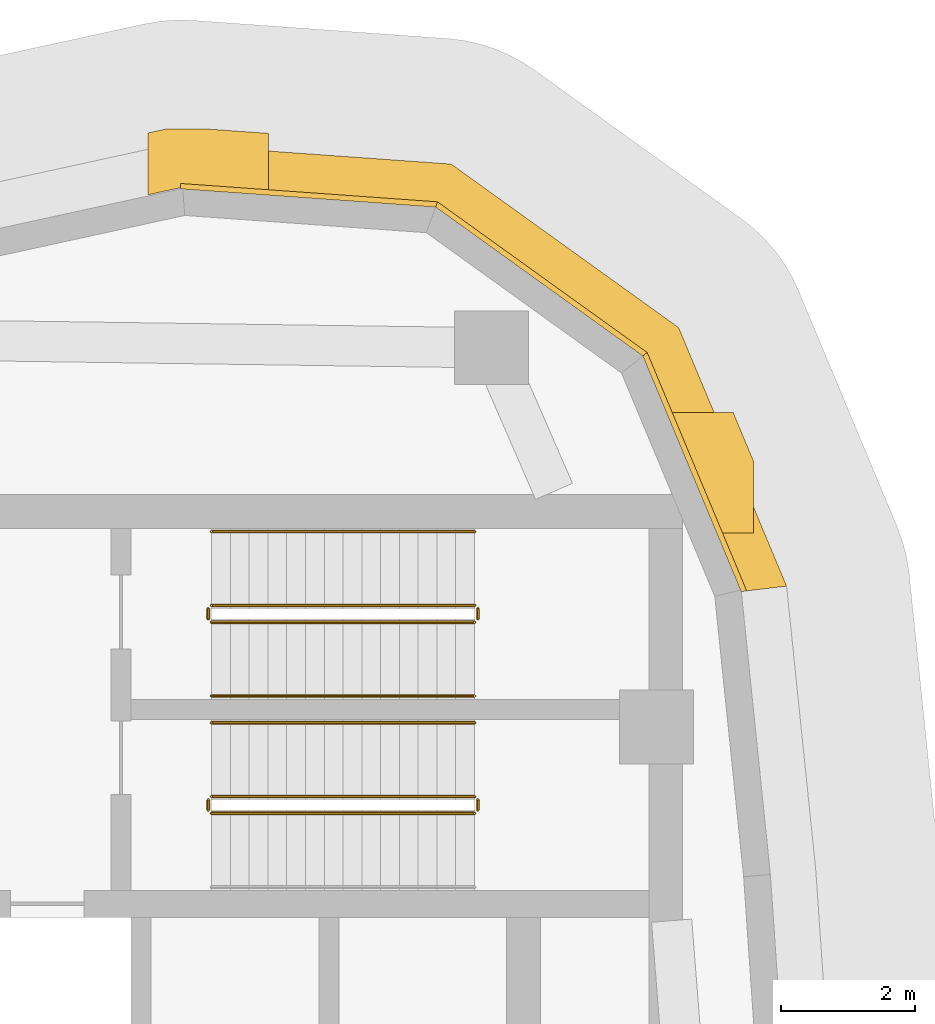
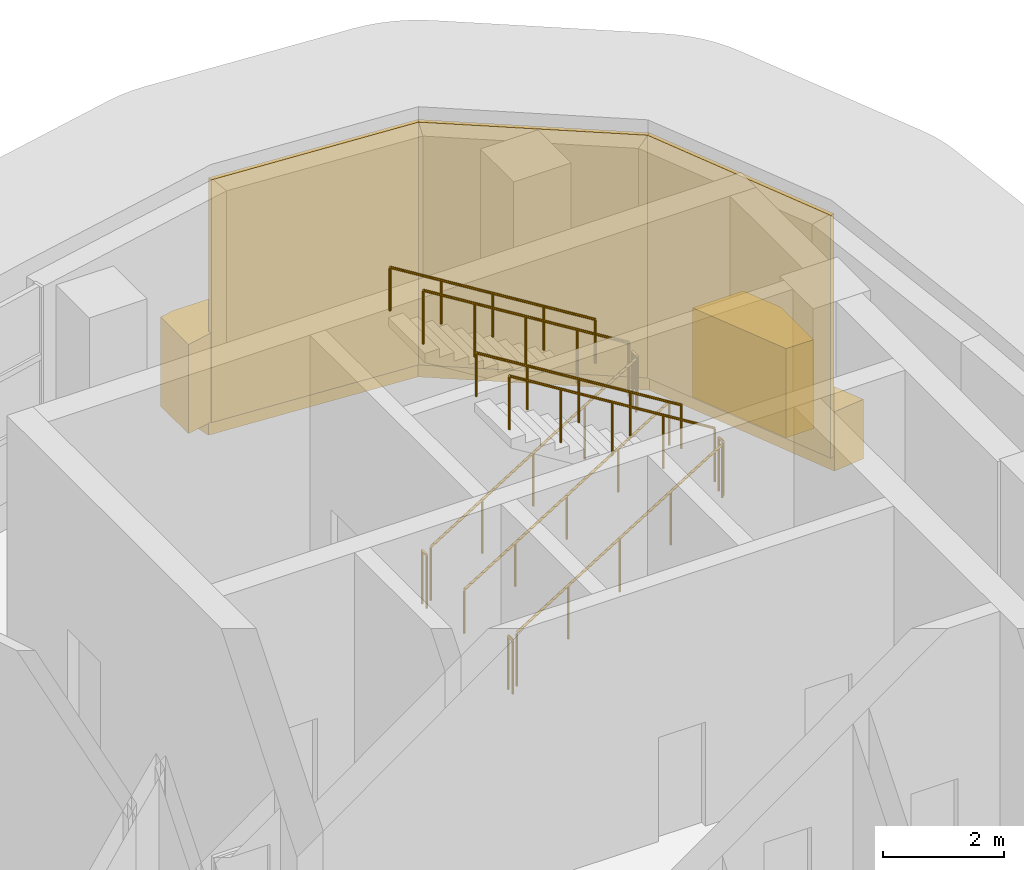
# One storey, part 14 of 14: 11 railings, 6 coverings.
"""IFC4 building model written with IfcOpenShell, lengths in metres."""

from ifc_helpers import new_model, si_unit, direction, frame, origin, origin_2d, place, context, subcontext, project, spatial, polyline, circle, outline, extrude, material, layer, layer_set, type_object, element, save


model = new_model("IFC4")

# Units and contexts
model_context = context("Model", 3, precision=1e-05, world=origin(), true_north=direction((0.0, 1.0)))
body_context = subcontext(model_context, "Body", "Model", "MODEL_VIEW")
ifc_project = project(units=[si_unit("LENGTHUNIT", "METRE"), si_unit("AREAUNIT", "SQUARE_METRE"), si_unit("VOLUMEUNIT", "CUBIC_METRE"), si_unit("PLANEANGLEUNIT", "RADIAN"), si_unit("MASSUNIT", "GRAM", prefix="KILO")], contexts=[model_context])

# Site, building, storey
site_placement = place(None, origin())
site = spatial("IfcSite", under=ifc_project, at=site_placement, CompositionType="ELEMENT")
building_placement = place(site_placement, origin())
building = spatial("IfcBuilding", under=site, at=building_placement, Name="Ostrand Prow Hotel Tower", CompositionType="ELEMENT")
storey_placement = place(building_placement, frame((0.0, 0.0, 303.39990234375)))
storey = spatial("IfcBuildingStorey", under=building, at=storey_placement, Name="L77", CompositionType="ELEMENT", Elevation=303.39990234375)

# Coverings
ifc_material_1 = material(Name="Limestone cladding", Category="masonry")
ifc_layer_1 = layer(ifc_material_1, 2.0)
ifc_layer_set_1 = layer_set([ifc_layer_1], Name="Limestone cladding")
covering_type_1 = type_object("IfcCoveringType", Name="Belt lip limestone", PredefinedType="CLADDING", material=ifc_layer_set_1)
covering_1_placement = place(storey_placement, origin())
element("IfcCovering", 1, at=covering_1_placement, inside=storey, type_object=covering_type_1, Name="Belt fin 12 L77", PredefinedType="CLADDING", context=body_context, shape_type="SweptSolid", body=[
    extrude(outline(polyline([(65.27587890625, 16.7568359375), (64.9755859375, 17.476318359375), (64.000244140625, 17.476318359375), (64.751708984375, 15.676513671875), (65.27587890625, 15.676513671875), (65.27587890625, 16.7568359375)])), origin(), (0.0, 0.0, 1.0), 1.800048828125),
])
covering_2_placement = place(storey_placement, origin())
element("IfcCovering", 2, at=covering_2_placement, inside=storey, type_object=covering_type_1, Name="Belt fin 13 L77", PredefinedType="CLADDING", context=body_context, shape_type="SweptSolid", body=[
    extrude(outline(polyline([(56.51025390625, 21.698486328125), (56.248779296875, 21.6416015625), (56.248779296875, 20.720458984375), (56.74072265625, 20.82763671875), (58.048828125, 20.734375), (58.048828125, 21.63671875), (57.180908203125, 21.698486328125), (56.51025390625, 21.698486328125)])), origin(), (0.0, 0.0, 1.0), 1.800048828125),
])
ifc_material_2 = material(Name="Bronze anodised aluminium cladding", Category="aluminium")
ifc_layer_2 = layer(ifc_material_2, 0.60009765625)
ifc_layer_set_2 = layer_set([ifc_layer_2], Name="Bronze anodised aluminium cladding")
covering_type_2 = type_object("IfcCoveringType", Name="Bronze spandrel band 1200x600", PredefinedType="CLADDING", material=ifc_layer_set_2)
covering_3_placement = place(storey_placement, frame((0.0, 0.0, -0.2998046875)))
element("IfcCovering", 3, at=covering_3_placement, inside=storey, type_object=covering_type_2, Name="Spandrel band back 4", PredefinedType="CLADDING", context=body_context, shape_type="SweptSolid", body=[
    extrude(outline(polyline([(65.77197265625, 14.887451171875), (64.162841796875, 18.741455078125), (60.771728515625, 21.17919921875), (56.606201171875, 21.476318359375), (56.72802734375, 20.888916015625), (60.567626953125, 20.614990234375), (63.693115234375, 18.3681640625), (65.17626953125, 14.81591796875), (65.77197265625, 14.887451171875)])), origin(), (0.0, 0.0, 1.0), 1.199951171875),
])

# Railings
ifc_material_3 = material(Name="Painted steel", Category="steel")
railing_type_1 = type_object("IfcRailingType", Name="Stair guard 1100", PredefinedType="GUARDRAIL", material=ifc_material_3)
railing_1_placement = place(storey_placement, frame((57.199951171875, 11.5, 0.17333984375)))
element("IfcRailing", 4, at=railing_1_placement, inside=storey, type_object=railing_type_1, Name="L77 ST1C stair guard 1", PredefinedType="GUARDRAIL", context=body_context, shape_type="SweptSolid", body=[
    extrude(circle(Radius=0.02392578125, at=origin_2d()), frame((0.0, 0.0, 1.076171875), z_axis=(0.850266275192, 0.0, 0.526352791643), x_axis=(0.0, 1.0, 0.0)), (0.0, 0.0, 1.0), 4.610595703125),
    extrude(circle(Radius=0.02099609375, at=origin_2d()), origin(), (0.0, 0.0, 1.0), 1.052001953125),
    extrude(circle(Radius=0.02099609375, at=origin_2d()), frame((0.97998046875, 0.0, 0.606689453125)), (0.0, 0.0, 1.0), 1.052001953125),
    extrude(circle(Radius=0.02099609375, at=origin_2d()), frame((1.9599609375, 0.0, 1.21337890625)), (0.0, 0.0, 1.0), 1.052001953125),
    extrude(circle(Radius=0.02099609375, at=origin_2d()), frame((2.940185546875, 0.0, 1.820068359375)), (0.0, 0.0, 1.0), 1.052001953125),
    extrude(circle(Radius=0.02099609375, at=origin_2d()), frame((3.920166015625, 0.0, 2.4267578125)), (0.0, 0.0, 1.0), 1.052001953125),
])
railing_2_placement = place(storey_placement, frame((61.169921875, 11.550048828125, 2.60009765625)))
element("IfcRailing", 5, at=railing_2_placement, inside=storey, type_object=railing_type_1, Name="L77 ST1C stair guard 2", PredefinedType="GUARDRAIL", context=body_context, shape_type="SweptSolid", body=[
    extrude(circle(Radius=0.02392578125, at=origin_2d()), frame((0.0, 0.0, 1.076171875), z_axis=(0.0, 1.0, 0.0), x_axis=(-1.0, 0.0, 0.0)), (0.0, 0.0, 1.0), 0.14990234375),
    extrude(circle(Radius=0.02099609375, at=origin_2d()), origin(), (0.0, 0.0, 1.0), 1.052001953125),
    extrude(circle(Radius=0.02099609375, at=origin_2d()), frame((0.0, 0.14990234375, 0.0)), (0.0, 0.0, 1.0), 1.052001953125),
])
railing_3_placement = place(storey_placement, frame((61.1201171875, 11.75, 2.7734375)))
element("IfcRailing", 6, at=railing_3_placement, inside=storey, type_object=railing_type_1, Name="L77 ST1C stair guard 3", PredefinedType="GUARDRAIL", context=body_context, shape_type="SweptSolid", body=[
    extrude(circle(Radius=0.02392578125, at=origin_2d()), frame((0.0, 0.0, 1.076171875), z_axis=(-0.850266275192, 0.0, 0.526352791643), x_axis=(0.0, -1.0, 0.0)), (0.0, 0.0, 1.0), 4.610595703125),
    extrude(circle(Radius=0.02099609375, at=origin_2d()), origin(), (0.0, 0.0, 1.0), 1.052001953125),
    extrude(circle(Radius=0.02099609375, at=origin_2d()), frame((-0.97998046875, 0.0, 0.606689453125)), (0.0, 0.0, 1.0), 1.052001953125),
    extrude(circle(Radius=0.02099609375, at=origin_2d()), frame((-1.9599609375, 0.0, 1.21337890625)), (0.0, 0.0, 1.0), 1.052001953125),
    extrude(circle(Radius=0.02099609375, at=origin_2d()), frame((-2.940185546875, 0.0, 1.820068359375)), (0.0, 0.0, 1.0), 1.052001953125),
    extrude(circle(Radius=0.02099609375, at=origin_2d()), frame((-3.920166015625, 0.0, 2.4267578125)), (0.0, 0.0, 1.0), 1.052001953125),
])
railing_4_placement = place(storey_placement, frame((57.14990234375, 11.550048828125, 0.0)))
element("IfcRailing", 7, at=railing_4_placement, inside=storey, type_object=railing_type_1, Name="L77 ST1C stair guard 4", PredefinedType="GUARDRAIL", context=body_context, shape_type="SweptSolid", body=[
    extrude(circle(Radius=0.02392578125, at=origin_2d()), frame((0.0, 0.0, 1.076171875), z_axis=(0.0, 1.0, 0.0), x_axis=(-1.0, 0.0, 0.0)), (0.0, 0.0, 1.0), 0.14990234375),
    extrude(circle(Radius=0.02099609375, at=origin_2d()), origin(), (0.0, 0.0, 1.0), 1.052001953125),
    extrude(circle(Radius=0.02099609375, at=origin_2d()), frame((0.0, 0.14990234375, 0.0)), (0.0, 0.0, 1.0), 1.052001953125),
])
railing_5_placement = place(storey_placement, frame((57.199951171875, 14.35009765625, 0.17333984375)))
element("IfcRailing", 8, at=railing_5_placement, inside=storey, type_object=railing_type_1, Name="L77 ST3C stair guard 1", PredefinedType="GUARDRAIL", context=body_context, shape_type="SweptSolid", body=[
    extrude(circle(Radius=0.02392578125, at=origin_2d()), frame((0.0, 0.0, 1.076171875), z_axis=(0.850266275192, 0.0, 0.526352791643), x_axis=(0.0, 1.0, 0.0)), (0.0, 0.0, 1.0), 4.610595703125),
    extrude(circle(Radius=0.02099609375, at=origin_2d()), origin(), (0.0, 0.0, 1.0), 1.052001953125),
    extrude(circle(Radius=0.02099609375, at=origin_2d()), frame((0.97998046875, 0.0, 0.606689453125)), (0.0, 0.0, 1.0), 1.052001953125),
    extrude(circle(Radius=0.02099609375, at=origin_2d()), frame((1.9599609375, 0.0, 1.21337890625)), (0.0, 0.0, 1.0), 1.052001953125),
    extrude(circle(Radius=0.02099609375, at=origin_2d()), frame((2.940185546875, 0.0, 1.820068359375)), (0.0, 0.0, 1.0), 1.052001953125),
    extrude(circle(Radius=0.02099609375, at=origin_2d()), frame((3.920166015625, 0.0, 2.4267578125)), (0.0, 0.0, 1.0), 1.052001953125),
])
railing_6_placement = place(storey_placement, frame((61.169921875, 14.39990234375, 2.60009765625)))
element("IfcRailing", 9, at=railing_6_placement, inside=storey, type_object=railing_type_1, Name="L77 ST3C stair guard 2", PredefinedType="GUARDRAIL", context=body_context, shape_type="SweptSolid", body=[
    extrude(circle(Radius=0.02392578125, at=origin_2d()), frame((0.0, 0.0, 1.076171875), z_axis=(0.0, 1.0, 0.0), x_axis=(-1.0, 0.0, 0.0)), (0.0, 0.0, 1.0), 0.150146484375),
    extrude(circle(Radius=0.02099609375, at=origin_2d()), origin(), (0.0, 0.0, 1.0), 1.052001953125),
    extrude(circle(Radius=0.02099609375, at=origin_2d()), frame((0.0, 0.150146484375, 0.0)), (0.0, 0.0, 1.0), 1.052001953125),
])
railing_7_placement = place(storey_placement, frame((61.1201171875, 14.60009765625, 2.7734375)))
element("IfcRailing", 10, at=railing_7_placement, inside=storey, type_object=railing_type_1, Name="L77 ST3C stair guard 3", PredefinedType="GUARDRAIL", context=body_context, shape_type="SweptSolid", body=[
    extrude(circle(Radius=0.02392578125, at=origin_2d()), frame((0.0, 0.0, 1.076171875), z_axis=(-0.850266275192, 0.0, 0.526352791643), x_axis=(0.0, -1.0, 0.0)), (0.0, 0.0, 1.0), 4.610595703125),
    extrude(circle(Radius=0.02099609375, at=origin_2d()), origin(), (0.0, 0.0, 1.0), 1.052001953125),
    extrude(circle(Radius=0.02099609375, at=origin_2d()), frame((-0.97998046875, 0.0, 0.606689453125)), (0.0, 0.0, 1.0), 1.052001953125),
    extrude(circle(Radius=0.02099609375, at=origin_2d()), frame((-1.9599609375, 0.0, 1.21337890625)), (0.0, 0.0, 1.0), 1.052001953125),
    extrude(circle(Radius=0.02099609375, at=origin_2d()), frame((-2.940185546875, 0.0, 1.820068359375)), (0.0, 0.0, 1.0), 1.052001953125),
    extrude(circle(Radius=0.02099609375, at=origin_2d()), frame((-3.920166015625, 0.0, 2.4267578125)), (0.0, 0.0, 1.0), 1.052001953125),
])
railing_8_placement = place(storey_placement, frame((57.14990234375, 14.39990234375, 0.0)))
element("IfcRailing", 11, at=railing_8_placement, inside=storey, type_object=railing_type_1, Name="L77 ST3C stair guard 4", PredefinedType="GUARDRAIL", context=body_context, shape_type="SweptSolid", body=[
    extrude(circle(Radius=0.02392578125, at=origin_2d()), frame((0.0, 0.0, 1.076171875), z_axis=(0.0, 1.0, 0.0), x_axis=(-1.0, 0.0, 0.0)), (0.0, 0.0, 1.0), 0.150146484375),
    extrude(circle(Radius=0.02099609375, at=origin_2d()), origin(), (0.0, 0.0, 1.0), 1.052001953125),
    extrude(circle(Radius=0.02099609375, at=origin_2d()), frame((0.0, 0.150146484375, 0.0)), (0.0, 0.0, 1.0), 1.052001953125),
])
ifc_material_4 = material(Name="Stainless steel", Category="steel")
railing_type_2 = type_object("IfcRailingType", Name="Stair handrail 900", PredefinedType="HANDRAIL", material=ifc_material_4)
railing_9_placement = place(storey_placement, frame((61.1201171875, 12.85009765625, 2.7734375)))
element("IfcRailing", 12, at=railing_9_placement, inside=storey, type_object=railing_type_2, Name="L77 ST1C stair handrail 2", PredefinedType="HANDRAIL", context=body_context, shape_type="SweptSolid", body=[
    extrude(circle(Radius=0.02392578125, at=origin_2d()), frame((0.0, 0.0, 0.8759765625), z_axis=(-0.850266275192, 0.0, 0.526352791643), x_axis=(0.0, -1.0, 0.0)), (0.0, 0.0, 1.0), 4.610595703125),
    extrude(circle(Radius=0.02099609375, at=origin_2d()), origin(), (0.0, 0.0, 1.0), 0.851806640625),
    extrude(circle(Radius=0.02099609375, at=origin_2d()), frame((-0.97998046875, 0.0, 0.606689453125)), (0.0, 0.0, 1.0), 0.851806640625),
    extrude(circle(Radius=0.02099609375, at=origin_2d()), frame((-1.9599609375, 0.0, 1.21337890625)), (0.0, 0.0, 1.0), 0.851806640625),
    extrude(circle(Radius=0.02099609375, at=origin_2d()), frame((-2.940185546875, 0.0, 1.820068359375)), (0.0, 0.0, 1.0), 0.851806640625),
    extrude(circle(Radius=0.02099609375, at=origin_2d()), frame((-3.920166015625, 0.0, 2.4267578125)), (0.0, 0.0, 1.0), 0.851806640625),
])
railing_10_placement = place(storey_placement, frame((57.199951171875, 13.25, 0.17333984375)))
element("IfcRailing", 13, at=railing_10_placement, inside=storey, type_object=railing_type_2, Name="L77 ST3C stair handrail 1", PredefinedType="HANDRAIL", context=body_context, shape_type="SweptSolid", body=[
    extrude(circle(Radius=0.02392578125, at=origin_2d()), frame((0.0, 0.0, 0.8759765625), z_axis=(0.850266275192, 0.0, 0.526352791643), x_axis=(0.0, 1.0, 0.0)), (0.0, 0.0, 1.0), 4.610595703125),
    extrude(circle(Radius=0.02099609375, at=origin_2d()), origin(), (0.0, 0.0, 1.0), 0.851806640625),
    extrude(circle(Radius=0.02099609375, at=origin_2d()), frame((0.97998046875, 0.0, 0.606689453125)), (0.0, 0.0, 1.0), 0.851806640625),
    extrude(circle(Radius=0.02099609375, at=origin_2d()), frame((1.9599609375, 0.0, 1.21337890625)), (0.0, 0.0, 1.0), 0.851806640625),
    extrude(circle(Radius=0.02099609375, at=origin_2d()), frame((2.940185546875, 0.0, 1.820068359375)), (0.0, 0.0, 1.0), 0.851806640625),
    extrude(circle(Radius=0.02099609375, at=origin_2d()), frame((3.920166015625, 0.0, 2.4267578125)), (0.0, 0.0, 1.0), 0.851806640625),
])
railing_11_placement = place(storey_placement, frame((61.1201171875, 15.699951171875, 2.7734375)))
element("IfcRailing", 14, at=railing_11_placement, inside=storey, type_object=railing_type_2, Name="L77 ST3C stair handrail 2", PredefinedType="HANDRAIL", context=body_context, shape_type="SweptSolid", body=[
    extrude(circle(Radius=0.02392578125, at=origin_2d()), frame((0.0, 0.0, 0.8759765625), z_axis=(-0.850266275192, 0.0, 0.526352791643), x_axis=(0.0, -1.0, 0.0)), (0.0, 0.0, 1.0), 4.610595703125),
    extrude(circle(Radius=0.02099609375, at=origin_2d()), origin(), (0.0, 0.0, 1.0), 0.851806640625),
    extrude(circle(Radius=0.02099609375, at=origin_2d()), frame((-0.97998046875, 0.0, 0.606689453125)), (0.0, 0.0, 1.0), 0.851806640625),
    extrude(circle(Radius=0.02099609375, at=origin_2d()), frame((-1.9599609375, 0.0, 1.21337890625)), (0.0, 0.0, 1.0), 0.851806640625),
    extrude(circle(Radius=0.02099609375, at=origin_2d()), frame((-2.940185546875, 0.0, 1.820068359375)), (0.0, 0.0, 1.0), 0.851806640625),
    extrude(circle(Radius=0.02099609375, at=origin_2d()), frame((-3.920166015625, 0.0, 2.4267578125)), (0.0, 0.0, 1.0), 0.851806640625),
])

# Coverings
ifc_material_5 = material(Name="Limestone cladding", Category="masonry")
ifc_layer_3 = layer(ifc_material_5, 0.080078125)
ifc_layer_set_3 = layer_set([ifc_layer_3], Name="Limestone cladding")
covering_type_3 = type_object("IfcCoveringType", Name="Warm limestone cladding 80 mm", PredefinedType="CLADDING", material=ifc_layer_set_3)
covering_4_placement = place(storey_placement, frame((65.136474609375, 14.811279296875, 0.0), z_axis=(0.0, 0.0, 1.0), x_axis=(-0.385272026688, 0.922803048029, 0.0)))
element("IfcCovering", 15, at=covering_4_placement, inside=storey, type_object=covering_type_3, Name="Limestone cladding back 12", PredefinedType="CLADDING", context=body_context, shape_type="SweptSolid", body=[
    extrude(outline(polyline([(-0.005859375, -0.0400390625), (3.838623046875, -0.0400390625), (3.816162109375, 0.0400390625), (0.005859375, 0.0400390625), (-0.005859375, -0.0400390625)])), origin(), (0.0, 0.0, 1.0), 4.900146484375),
])
covering_5_placement = place(storey_placement, frame((63.661865234375, 18.34326171875, 0.0), z_axis=(0.0, 0.0, 1.0), x_axis=(-0.811975694159, 0.583691247231, 0.0)))
element("IfcCovering", 16, at=covering_5_placement, inside=storey, type_object=covering_type_3, Name="Limestone cladding back 13", PredefinedType="CLADDING", context=body_context, shape_type="SweptSolid", body=[
    extrude(outline(polyline([(-0.01123046875, -0.0400390625), (3.8388671875, -0.0400390625), (3.81640625, 0.0400390625), (0.01123046875, 0.0400390625), (-0.01123046875, -0.0400390625)])), origin(), (0.0, 0.0, 1.0), 4.900146484375),
])
covering_6_placement = place(storey_placement, frame((60.553955078125, 20.577392578125, 0.0), z_axis=(0.0, 0.0, 1.0), x_axis=(-0.997463230726, 0.071183589045, 0.0)))
element("IfcCovering", 17, at=covering_6_placement, inside=storey, type_object=covering_type_3, Name="Limestone cladding back 14", PredefinedType="CLADDING", context=body_context, shape_type="SweptSolid", body=[
    extrude(outline(polyline([(-0.01123046875, -0.0400390625), (3.83349609375, -0.0400390625), (3.82177734375, 0.0400390625), (0.01123046875, 0.0400390625), (-0.01123046875, -0.0400390625)])), origin(), (0.0, 0.0, 1.0), 4.900146484375),
])

save(model, "model.ifc")
